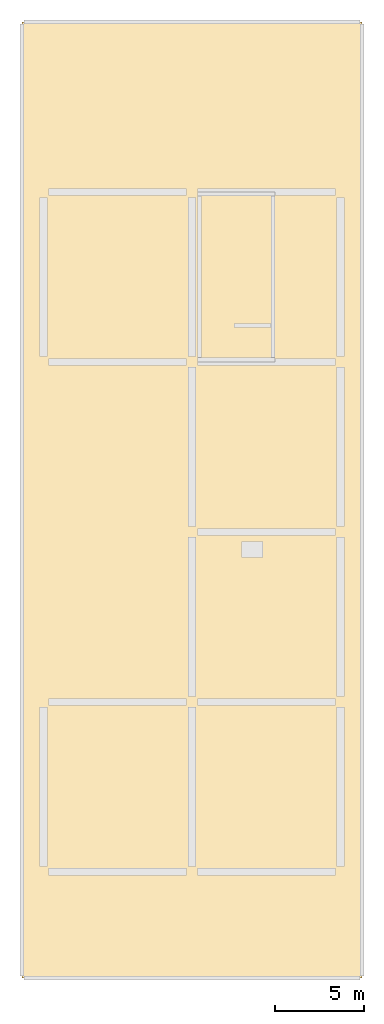
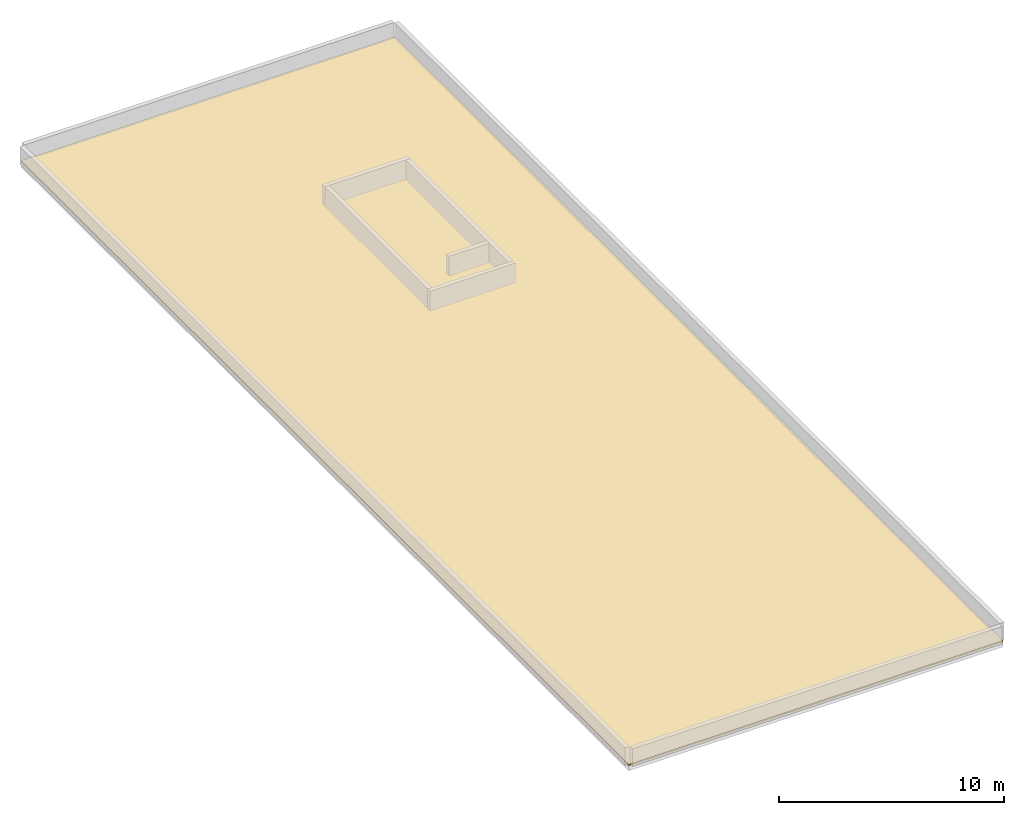
# One storey, part 2 of 2: 1 covering.
"""IFC4 building model written with IfcOpenShell, lengths in metres."""

import ifcopenshell
import ifcopenshell.guid

model = None  # the IFC model being written
_history = None  # IfcOwnerHistory: only IFC2X3 demands one
_inside = {}  # id of a spatial element -> (the spatial element, [elements in it])
_under = {}  # id of a project, library or spatial element -> (it, [spatial elements below it])
_declared = {}  # id of a project -> (the project, [libraries it declares])
_typed = {}  # id of a type object -> (the type object, [elements of that type])
_made_of = {}  # id of a material, layer set ... -> (it, [elements and type objects made of it])


def new_model(schema):
    """Start an empty IFC model of exactly this schema.

    Asked for "IFC4X3", IfcOpenShell would pick the latest addendum, in which some entities
    have other attributes; the version numbers below select the first issue.
    IFC2X3 requires an IfcOwnerHistory on every rooted entity: one is made here for all.
    """
    global model, _history
    if schema == "IFC4X3":
        model = ifcopenshell.file(schema_version=(4, 3, 0, 0))
    else:
        model = ifcopenshell.file(schema=schema)
    _inside.clear()
    _under.clear()
    _declared.clear()
    _typed.clear()
    _made_of.clear()
    _history = None
    if model.schema == "IFC2X3":
        org = make("IfcOrganization", Name="unknown")
        user = make(
            "IfcPersonAndOrganization",
            ThePerson=make("IfcPerson", FamilyName="unknown"),
            TheOrganization=org,
        )
        app = make(
            "IfcApplication",
            ApplicationDeveloper=org,
            Version="unknown",
            ApplicationFullName="unknown",
            ApplicationIdentifier="unknown",
        )
        _history = make(
            "IfcOwnerHistory",
            OwningUser=user,
            OwningApplication=app,
            ChangeAction="ADDED",
            CreationDate=0,
        )
    return model


def make(cls, **values):
    """One entity of the class cls with the attributes given. An attribute that is None is left unset."""
    return model.create_entity(
        cls, **{name: value for name, value in values.items() if value is not None}
    )


def rooted(cls, **values):
    """An entity with a GlobalId (a new one), such as an element, a storey or a relation."""
    return make(cls, GlobalId=ifcopenshell.guid.new(), OwnerHistory=_history, **values)


def si_unit(unit_type, name, prefix=None):
    """IfcSIUnit, for example si_unit("LENGTHUNIT", "METRE", prefix="MILLI")."""
    return make("IfcSIUnit", UnitType=unit_type, Prefix=prefix, Name=name)


def assignment(units):
    """IfcUnitAssignment: the units of a project."""
    return None if units is None else make("IfcUnitAssignment", Units=units)


def point(xyz):
    """IfcCartesianPoint."""
    return None if xyz is None else make("IfcCartesianPoint", Coordinates=xyz)


def direction(xyz):
    """IfcDirection."""
    return None if xyz is None else make("IfcDirection", DirectionRatios=xyz)


def frame(location, z_axis=None, x_axis=None):
    """IfcAxis2Placement3D, a coordinate frame: its origin and axes. An axis left out is left unset."""
    return make(
        "IfcAxis2Placement3D",
        Location=point(location),
        Axis=direction(z_axis),
        RefDirection=direction(x_axis),
    )


def origin():
    """The frame at (0, 0, 0) with its axes left unset."""
    return frame((0.0, 0.0, 0.0))


def place(relative_to, where):
    """IfcLocalPlacement: puts the frame where relative to a parent placement (None: the world)."""
    return make(
        "IfcLocalPlacement", PlacementRelTo=relative_to, RelativePlacement=where
    )


def context(
    kind, dimensions, precision=None, world=None, true_north=None, identifier=None
):
    """IfcGeometricRepresentationContext, for example the 3D "Model" context."""
    return make(
        "IfcGeometricRepresentationContext",
        ContextIdentifier=identifier,
        ContextType=kind,
        CoordinateSpaceDimension=dimensions,
        Precision=precision,
        WorldCoordinateSystem=world,
        TrueNorth=true_north,
    )


def subcontext(parent, identifier, kind, view, scale=None):
    """IfcGeometricRepresentationSubContext, for example "Body" below "Model"."""
    return make(
        "IfcGeometricRepresentationSubContext",
        ContextIdentifier=identifier,
        ContextType=kind,
        ParentContext=parent,
        TargetScale=scale,
        TargetView=view,
    )


def project(units=None, contexts=None):
    """IfcProject with its units and contexts."""
    return rooted(
        "IfcProject",
        Name="project",
        RepresentationContexts=contexts,
        UnitsInContext=assignment(units),
    )


def spatial(cls, under=None, at=None, **own):
    """A site, building, storey or space (cls), placed at a placement, below another one or the project."""
    s = rooted(cls, ObjectPlacement=at, **own)
    if under is not None:
        _under.setdefault(under.id(), (under, []))[1].append(s)
    return s


def polyline(points):
    """IfcPolyline through the points."""
    return make("IfcPolyline", Points=[point(p) for p in points])


def outline(outer, holes=None, kind="AREA"):
    """IfcArbitraryClosedProfileDef: a profile drawn as a closed curve; with holes, ...WithVoids."""
    if holes is None:
        return make("IfcArbitraryClosedProfileDef", ProfileType=kind, OuterCurve=outer)
    return make(
        "IfcArbitraryProfileDefWithVoids",
        ProfileType=kind,
        OuterCurve=outer,
        InnerCurves=holes,
    )


def extrude(swept, where, along, depth):
    """IfcExtrudedAreaSolid: the profile swept, set in the frame where, extruded along a direction by depth."""
    return make(
        "IfcExtrudedAreaSolid",
        SweptArea=swept,
        Position=where,
        ExtrudedDirection=direction(along),
        Depth=depth,
    )


def shape(context_of_items, identifier, shape_type, items):
    """IfcShapeRepresentation: the items that make up one representation, for example the "Body"."""
    return make(
        "IfcShapeRepresentation",
        ContextOfItems=context_of_items,
        RepresentationIdentifier=identifier,
        RepresentationType=shape_type,
        Items=items,
    )


def material(Name=None, Category=None):
    """IfcMaterial."""
    return make("IfcMaterial", Name=Name, Category=Category)


def layer(
    of_material, thickness, ventilated=None, Name=None, Category=None, Priority=None
):
    """IfcMaterialLayer: one layer of a wall or slab, of a material (None: an air gap)."""
    return make(
        "IfcMaterialLayer",
        Material=of_material,
        LayerThickness=thickness,
        IsVentilated=ventilated,
        Name=Name,
        Category=Category,
        Priority=Priority,
    )


def layer_set(layers, Name=None):
    """IfcMaterialLayerSet."""
    return make("IfcMaterialLayerSet", MaterialLayers=layers, LayerSetName=Name)


def made_of(thing, what):
    """Note that an element or type object is made of a material, layer set ...; save() writes the relation."""
    if what is not None:
        _made_of.setdefault(what.id(), (what, []))[1].append(thing)
    return thing


def type_object(cls, material=None, **own):
    """A type object (cls), such as IfcWallType, which elements share."""
    return made_of(rooted(cls, **own), material)


def element(
    cls,
    number,
    at=None,
    inside=None,
    cuts=None,
    type_object=None,
    material=None,
    context=None,
    identifier="Body",
    shape_type=None,
    held_by="IfcProductDefinitionShape",
    body=None,
    shapes=None,
    **own,
):
    """One element of the class cls, such as IfcWall. Its Tag is "e" and its number.

    at: its placement. inside: the storey or other place that contains it. cuts: it is an
    opening in that element (IfcRelVoidsElement). A single representation is given by context,
    identifier, shape_type and body (its items); several are given by shapes. held_by: the class
    of the entity that holds the representations. save() writes the other relations.
    """
    e = rooted(cls, Tag="e%d" % number, ObjectPlacement=at, **own)
    if body is not None:
        shapes = [shape(context, identifier, shape_type, body)]
    if shapes is not None:
        e.Representation = make(held_by, Representations=shapes)
    if inside is not None:
        _inside.setdefault(inside.id(), (inside, []))[1].append(e)
    if cuts is not None:
        rooted(
            "IfcRelVoidsElement", RelatingBuildingElement=cuts, RelatedOpeningElement=e
        )
    if type_object is not None:
        _typed.setdefault(type_object.id(), (type_object, []))[1].append(e)
    return made_of(e, material)


def aggregate(whole, parts):
    """IfcRelAggregates: a whole, such as a stair, and the parts it consists of."""
    return rooted("IfcRelAggregates", RelatingObject=whole, RelatedObjects=parts)


def save(model, path):
    """Write the relations noted so far, then the file.

    IfcRelAggregates (storeys below a building ...), IfcRelContainedInSpatialStructure (elements
    in a storey), IfcRelDefinesByType, IfcRelAssociatesMaterial and IfcRelDeclares: one each for
    every whole, place, type object, material and project.
    """
    for whole, parts in _under.values():
        aggregate(whole, parts)
    for where, things in _inside.values():
        rooted(
            "IfcRelContainedInSpatialStructure",
            RelatedElements=things,
            RelatingStructure=where,
        )
    for kind, things in _typed.values():
        rooted("IfcRelDefinesByType", RelatedObjects=things, RelatingType=kind)
    for what, things in _made_of.values():
        rooted("IfcRelAssociatesMaterial", RelatedObjects=things, RelatingMaterial=what)
    for by, libraries in _declared.values():
        rooted("IfcRelDeclares", RelatingContext=by, RelatedDefinitions=libraries)
    model.write(path)


model = new_model("IFC4")

# Units and contexts
model_context = context("Model", 3, precision=1e-05, world=origin(), true_north=direction((0.0, 1.0)))
body_context = subcontext(model_context, "Body", "Model", "MODEL_VIEW")
ifc_project = project(units=[si_unit("LENGTHUNIT", "METRE"), si_unit("AREAUNIT", "SQUARE_METRE"), si_unit("VOLUMEUNIT", "CUBIC_METRE"), si_unit("PLANEANGLEUNIT", "RADIAN"), si_unit("MASSUNIT", "GRAM", prefix="KILO")], contexts=[model_context])

# Site, building, storey
site_placement = place(None, origin())
site = spatial("IfcSite", under=ifc_project, at=site_placement, CompositionType="ELEMENT")
building_placement = place(site_placement, origin())
building = spatial("IfcBuilding", under=site, at=building_placement, Name="Shalvenor Court Art Gallery", CompositionType="ELEMENT")
storey_placement = place(building_placement, frame((0.0, 0.0, 32.39990234375)))
storey = spatial("IfcBuildingStorey", under=building, at=storey_placement, Name="RF Roof Level", CompositionType="ELEMENT", Elevation=32.39990234375)

# Covering
ifc_material = material(Name="Insulated EPDM waterproof roofing membrane", Category="other")
ifc_layer = layer(ifc_material, 0.090087890625, Name="Insulated EPDM waterproof roofing membrane")
ifc_layer_set = layer_set([ifc_layer], Name="Insulated EPDM waterproof roofing membrane")
covering_type = type_object("IfcCoveringType", Name="RFC-01", PredefinedType="ROOFING", material=ifc_layer_set)
covering_placement = place(storey_placement, origin())
element("IfcCovering", 1, at=covering_placement, inside=storey, type_object=covering_type, Name="RF Roof Level Insulated Roof Membrane 1", PredefinedType="ROOFING", context=body_context, shape_type="SweptSolid", body=[
    extrude(outline(polyline([(158.39990234375, 44.39990234375), (158.39990234375, 98.39990234375), (177.60009765625, 98.39990234375), (177.60009765625, 44.39990234375), (158.39990234375, 44.39990234375)])), origin(), (0.0, 0.0, 1.0), 0.080078125),
])

save(model, "model.ifc")
